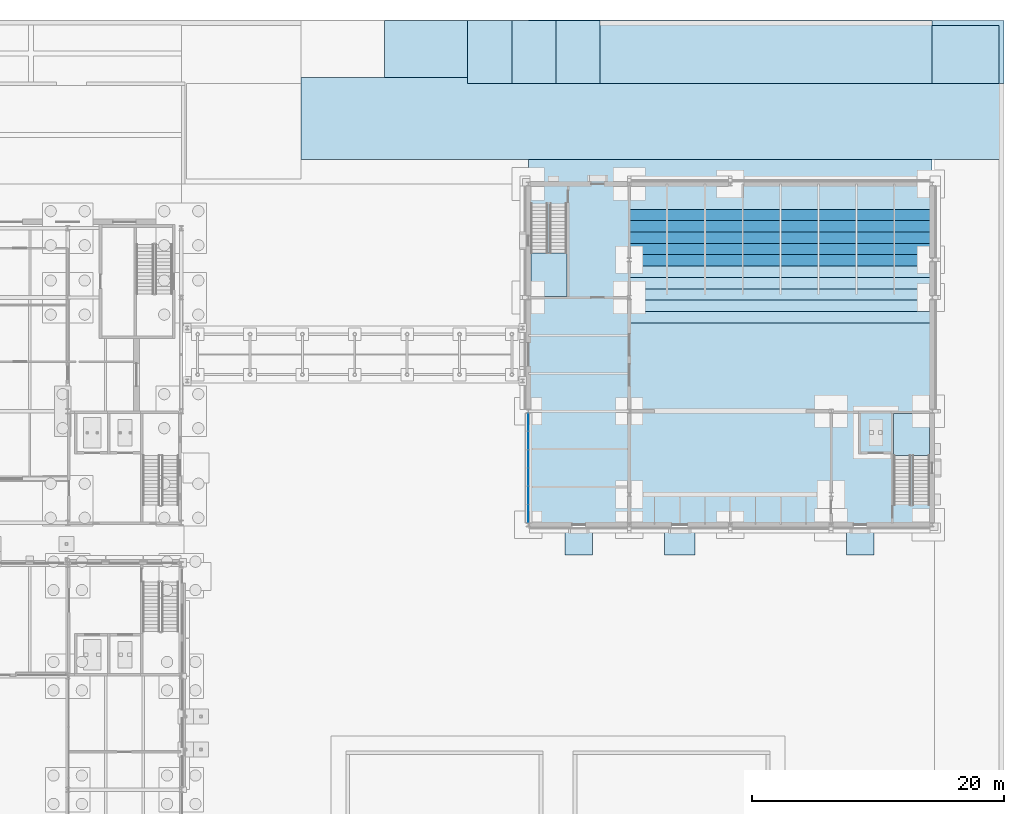
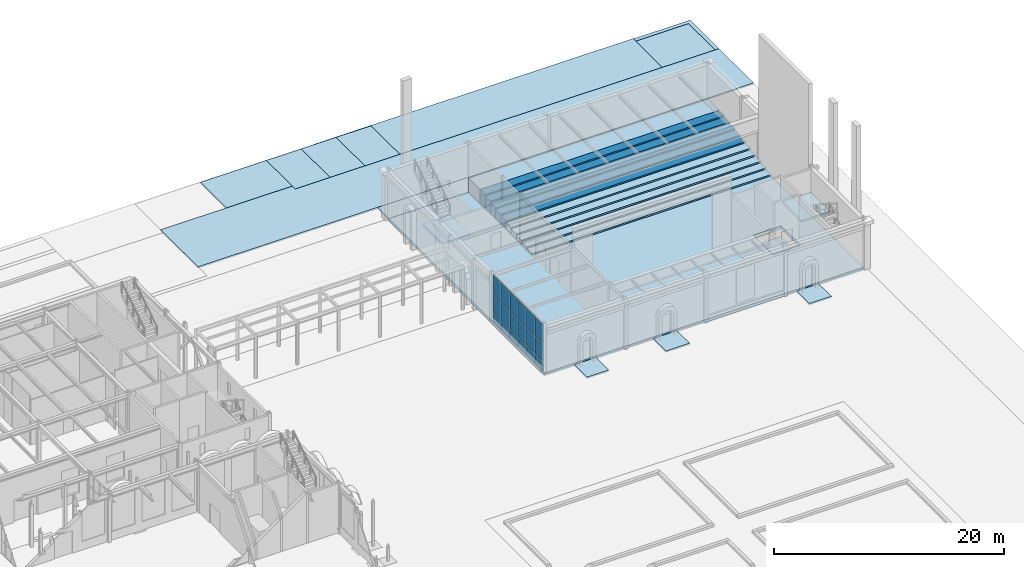
# One storey, part 64 of 126: 27 slabs, 18 plates, 3 elements without a shape of their own.
"""IFC4 building model written with IfcOpenShell, lengths in metres."""

from ifc_helpers import new_model, si_unit, direction, frame, origin, origin_2d, place, context, subcontext, project, spatial, polyline, rectangle, outline, extrude, material, layer, layer_set, type_object, element, aggregate, save


model = new_model("IFC4")

# Units and contexts
model_context = context("Model", 3, precision=1e-05, world=origin(), true_north=direction((0.0, 1.0)))
body_context = subcontext(model_context, "Body", "Model", "MODEL_VIEW")
ifc_project = project(units=[si_unit("LENGTHUNIT", "METRE"), si_unit("AREAUNIT", "SQUARE_METRE"), si_unit("VOLUMEUNIT", "CUBIC_METRE"), si_unit("PLANEANGLEUNIT", "RADIAN"), si_unit("MASSUNIT", "GRAM", prefix="KILO")], contexts=[model_context])

# Site, building, storey
site_placement = place(None, origin())
site = spatial("IfcSite", under=ifc_project, at=site_placement, CompositionType="ELEMENT")
building_placement = place(site_placement, origin())
building = spatial("IfcBuilding", under=site, at=building_placement, Name="Kallimachos Central Library", CompositionType="ELEMENT")
storey_placement = place(building_placement, origin())
storey = spatial("IfcBuildingStorey", under=building, at=storey_placement, Name="L00", CompositionType="ELEMENT", Elevation=0.0)

# Curtain wall, plates
ifc_material_1 = material(Name="Laminated glass in anodised aluminium", Category="aluminium")
curtain_wall_type = type_object("IfcCurtainWallType", Name="Foyer curtain wall", PredefinedType="NOTDEFINED", material=ifc_material_1)
curtain_wall_placement = place(storey_placement, origin())
curtain_wall = element("IfcCurtainWall", 1, at=curtain_wall_placement, inside=storey, type_object=curtain_wall_type, Name="V3-CWL-L00-001", PredefinedType="NOTDEFINED")
ifc_material_2 = material(Name="Laminated glass", Category="glass")
ifc_layer_1 = layer(ifc_material_2, 0.028076171875)
ifc_layer_set_1 = layer_set([ifc_layer_1], Name="Curtain wall glass panel 28")
plate_type = type_object("IfcPlateType", Name="Curtain wall glass panel 28", PredefinedType="CURTAIN_PANEL", material=ifc_layer_set_1)
plate_1_placement = place(storey_placement, frame((138.0, 87.889892578125, 0.06005859375), z_axis=(0.0, 0.0, 1.0), x_axis=(0.0, 1.0, 0.0)))
plate_1 = element("IfcPlate", 2, at=plate_1_placement, type_object=plate_type, Name="CW panel 1.1", PredefinedType="CURTAIN_PANEL", context=body_context, shape_type="SweptSolid", body=[
    extrude(rectangle(XDim=1.360107421875, YDim=0.028076171875, at=origin_2d()), origin(), (0.0, 0.0, 1.0), 1.010009765625),
])
plate_2_placement = place(storey_placement, frame((138.0, 87.889892578125, 1.1298828125), z_axis=(0.0, 0.0, 1.0), x_axis=(0.0, 1.0, 0.0)))
plate_2 = element("IfcPlate", 3, at=plate_2_placement, type_object=plate_type, Name="CW panel 1.2", PredefinedType="CURTAIN_PANEL", context=body_context, shape_type="SweptSolid", body=[
    extrude(rectangle(XDim=1.360107421875, YDim=0.028076171875, at=origin_2d()), origin(), (0.0, 0.0, 1.0), 1.840087890625),
])
plate_3_placement = place(storey_placement, frame((138.0, 87.889892578125, 3.030029296875), z_axis=(0.0, 0.0, 1.0), x_axis=(0.0, 1.0, 0.0)))
plate_3 = element("IfcPlate", 4, at=plate_3_placement, type_object=plate_type, Name="CW panel 1.3", PredefinedType="CURTAIN_PANEL", context=body_context, shape_type="SweptSolid", body=[
    extrude(rectangle(XDim=1.360107421875, YDim=0.028076171875, at=origin_2d()), origin(), (0.0, 0.0, 1.0), 2.06005859375),
])
plate_4_placement = place(storey_placement, frame((138.0, 89.324951171875, 0.06005859375), z_axis=(0.0, 0.0, 1.0), x_axis=(0.0, 1.0, 0.0)))
plate_4 = element("IfcPlate", 5, at=plate_4_placement, type_object=plate_type, Name="CW panel 2.1", PredefinedType="CURTAIN_PANEL", context=body_context, shape_type="SweptSolid", body=[
    extrude(rectangle(XDim=1.389892578125, YDim=0.028076171875, at=origin_2d()), origin(), (0.0, 0.0, 1.0), 1.010009765625),
])
plate_5_placement = place(storey_placement, frame((138.0, 89.324951171875, 1.1298828125), z_axis=(0.0, 0.0, 1.0), x_axis=(0.0, 1.0, 0.0)))
plate_5 = element("IfcPlate", 6, at=plate_5_placement, type_object=plate_type, Name="CW panel 2.2", PredefinedType="CURTAIN_PANEL", context=body_context, shape_type="SweptSolid", body=[
    extrude(rectangle(XDim=1.389892578125, YDim=0.028076171875, at=origin_2d()), origin(), (0.0, 0.0, 1.0), 1.840087890625),
])
plate_6_placement = place(storey_placement, frame((138.0, 89.324951171875, 3.030029296875), z_axis=(0.0, 0.0, 1.0), x_axis=(0.0, 1.0, 0.0)))
plate_6 = element("IfcPlate", 7, at=plate_6_placement, type_object=plate_type, Name="CW panel 2.3", PredefinedType="CURTAIN_PANEL", context=body_context, shape_type="SweptSolid", body=[
    extrude(rectangle(XDim=1.389892578125, YDim=0.028076171875, at=origin_2d()), origin(), (0.0, 0.0, 1.0), 2.06005859375),
])
plate_7_placement = place(storey_placement, frame((138.0, 90.77490234375, 0.06005859375), z_axis=(0.0, 0.0, 1.0), x_axis=(0.0, 1.0, 0.0)))
plate_7 = element("IfcPlate", 8, at=plate_7_placement, type_object=plate_type, Name="CW panel 3.1", PredefinedType="CURTAIN_PANEL", context=body_context, shape_type="SweptSolid", body=[
    extrude(rectangle(XDim=1.389892578125, YDim=0.028076171875, at=origin_2d()), origin(), (0.0, 0.0, 1.0), 1.010009765625),
])
plate_8_placement = place(storey_placement, frame((138.0, 90.77490234375, 1.1298828125), z_axis=(0.0, 0.0, 1.0), x_axis=(0.0, 1.0, 0.0)))
plate_8 = element("IfcPlate", 9, at=plate_8_placement, type_object=plate_type, Name="CW panel 3.2", PredefinedType="CURTAIN_PANEL", context=body_context, shape_type="SweptSolid", body=[
    extrude(rectangle(XDim=1.389892578125, YDim=0.028076171875, at=origin_2d()), origin(), (0.0, 0.0, 1.0), 1.840087890625),
])
plate_9_placement = place(storey_placement, frame((138.0, 90.77490234375, 3.030029296875), z_axis=(0.0, 0.0, 1.0), x_axis=(0.0, 1.0, 0.0)))
plate_9 = element("IfcPlate", 10, at=plate_9_placement, type_object=plate_type, Name="CW panel 3.3", PredefinedType="CURTAIN_PANEL", context=body_context, shape_type="SweptSolid", body=[
    extrude(rectangle(XDim=1.389892578125, YDim=0.028076171875, at=origin_2d()), origin(), (0.0, 0.0, 1.0), 2.06005859375),
])
plate_10_placement = place(storey_placement, frame((138.0, 92.22509765625, 0.06005859375), z_axis=(0.0, 0.0, 1.0), x_axis=(0.0, 1.0, 0.0)))
plate_10 = element("IfcPlate", 11, at=plate_10_placement, type_object=plate_type, Name="CW panel 4.1", PredefinedType="CURTAIN_PANEL", context=body_context, shape_type="SweptSolid", body=[
    extrude(rectangle(XDim=1.389892578125, YDim=0.028076171875, at=origin_2d()), origin(), (0.0, 0.0, 1.0), 1.010009765625),
])
plate_11_placement = place(storey_placement, frame((138.0, 92.22509765625, 1.1298828125), z_axis=(0.0, 0.0, 1.0), x_axis=(0.0, 1.0, 0.0)))
plate_11 = element("IfcPlate", 12, at=plate_11_placement, type_object=plate_type, Name="CW panel 4.2", PredefinedType="CURTAIN_PANEL", context=body_context, shape_type="SweptSolid", body=[
    extrude(rectangle(XDim=1.389892578125, YDim=0.028076171875, at=origin_2d()), origin(), (0.0, 0.0, 1.0), 1.840087890625),
])
plate_12_placement = place(storey_placement, frame((138.0, 92.22509765625, 3.030029296875), z_axis=(0.0, 0.0, 1.0), x_axis=(0.0, 1.0, 0.0)))
plate_12 = element("IfcPlate", 13, at=plate_12_placement, type_object=plate_type, Name="CW panel 4.3", PredefinedType="CURTAIN_PANEL", context=body_context, shape_type="SweptSolid", body=[
    extrude(rectangle(XDim=1.389892578125, YDim=0.028076171875, at=origin_2d()), origin(), (0.0, 0.0, 1.0), 2.06005859375),
])
plate_13_placement = place(storey_placement, frame((138.0, 93.675048828125, 0.06005859375), z_axis=(0.0, 0.0, 1.0), x_axis=(0.0, 1.0, 0.0)))
plate_13 = element("IfcPlate", 14, at=plate_13_placement, type_object=plate_type, Name="CW panel 5.1", PredefinedType="CURTAIN_PANEL", context=body_context, shape_type="SweptSolid", body=[
    extrude(rectangle(XDim=1.389892578125, YDim=0.028076171875, at=origin_2d()), origin(), (0.0, 0.0, 1.0), 1.010009765625),
])
plate_14_placement = place(storey_placement, frame((138.0, 93.675048828125, 1.1298828125), z_axis=(0.0, 0.0, 1.0), x_axis=(0.0, 1.0, 0.0)))
plate_14 = element("IfcPlate", 15, at=plate_14_placement, type_object=plate_type, Name="CW panel 5.2", PredefinedType="CURTAIN_PANEL", context=body_context, shape_type="SweptSolid", body=[
    extrude(rectangle(XDim=1.389892578125, YDim=0.028076171875, at=origin_2d()), origin(), (0.0, 0.0, 1.0), 1.840087890625),
])
plate_15_placement = place(storey_placement, frame((138.0, 93.675048828125, 3.030029296875), z_axis=(0.0, 0.0, 1.0), x_axis=(0.0, 1.0, 0.0)))
plate_15 = element("IfcPlate", 16, at=plate_15_placement, type_object=plate_type, Name="CW panel 5.3", PredefinedType="CURTAIN_PANEL", context=body_context, shape_type="SweptSolid", body=[
    extrude(rectangle(XDim=1.389892578125, YDim=0.028076171875, at=origin_2d()), origin(), (0.0, 0.0, 1.0), 2.06005859375),
])
plate_16_placement = place(storey_placement, frame((138.0, 95.110107421875, 0.06005859375), z_axis=(0.0, 0.0, 1.0), x_axis=(0.0, 1.0, 0.0)))
plate_16 = element("IfcPlate", 17, at=plate_16_placement, type_object=plate_type, Name="CW panel 6.1", PredefinedType="CURTAIN_PANEL", context=body_context, shape_type="SweptSolid", body=[
    extrude(rectangle(XDim=1.360107421875, YDim=0.028076171875, at=origin_2d()), origin(), (0.0, 0.0, 1.0), 1.010009765625),
])
plate_17_placement = place(storey_placement, frame((138.0, 95.110107421875, 1.1298828125), z_axis=(0.0, 0.0, 1.0), x_axis=(0.0, 1.0, 0.0)))
plate_17 = element("IfcPlate", 18, at=plate_17_placement, type_object=plate_type, Name="CW panel 6.2", PredefinedType="CURTAIN_PANEL", context=body_context, shape_type="SweptSolid", body=[
    extrude(rectangle(XDim=1.360107421875, YDim=0.028076171875, at=origin_2d()), origin(), (0.0, 0.0, 1.0), 1.840087890625),
])
plate_18_placement = place(storey_placement, frame((138.0, 95.110107421875, 3.030029296875), z_axis=(0.0, 0.0, 1.0), x_axis=(0.0, 1.0, 0.0)))
plate_18 = element("IfcPlate", 19, at=plate_18_placement, type_object=plate_type, Name="CW panel 6.3", PredefinedType="CURTAIN_PANEL", context=body_context, shape_type="SweptSolid", body=[
    extrude(rectangle(XDim=1.360107421875, YDim=0.028076171875, at=origin_2d()), origin(), (0.0, 0.0, 1.0), 2.06005859375),
])
aggregate(curtain_wall, [plate_1, plate_2, plate_3, plate_4, plate_5, plate_6, plate_7, plate_8, plate_9, plate_10, plate_11, plate_12, plate_13, plate_14, plate_15, plate_16, plate_17, plate_18])

# Slabs
ifc_material_3 = material(Name="Concrete C30/37", Category="concrete")
ifc_layer_2 = layer(ifc_material_3, 0.14990234375)
ifc_layer_set_2 = layer_set([ifc_layer_2], Name="Drive paving 150")
slab_type_1 = type_object("IfcSlabType", Name="Drive paving 150", PredefinedType="BASESLAB", material=ifc_layer_set_2)
slab_1_placement = place(storey_placement, frame((0.0, 0.0, -0.14990234375)))
element("IfcSlab", 20, at=slab_1_placement, inside=storey, type_object=slab_type_1, Name="Drive Aisle East", PredefinedType="BASESLAB", context=body_context, shape_type="SweptSolid", body=[
    extrude(outline(polyline([(175.699951171875, 115.949951171875), (120.0, 115.949951171875), (120.0, 122.449951171875), (133.199951171875, 122.449951171875), (133.199951171875, 121.949951171875), (175.699951171875, 121.949951171875), (175.699951171875, 115.949951171875)])), origin(), (0.0, 0.0, 1.0), 0.14990234375),
])
ifc_material_4 = material(Name="Concrete C30/37", Category="concrete")
ifc_layer_3 = layer(ifc_material_4, 0.300048828125)
ifc_layer_set_3 = layer_set([ifc_layer_3], Name="Ground slab 300")
slab_type_2 = type_object("IfcSlabType", Name="Ground slab 300", PredefinedType="BASESLAB", material=ifc_layer_set_3)
slab_2_placement = place(storey_placement, frame((0.0, 0.0, -0.300048828125)))
element("IfcSlab", 21, at=slab_2_placement, inside=storey, type_object=slab_type_2, Name="V3-SLB-L00-001", PredefinedType="BASESLAB", context=body_context, shape_type="SweptSolid", body=[
    extrude(outline(polyline([(138.0, 114.0), (170.0, 114.0), (170.0, 87.0), (138.0, 87.0), (138.0, 114.0)]), holes=[polyline([(166.949951171875, 92.60009765625), (166.949951171875, 96.0), (164.14990234375, 96.0), (164.14990234375, 92.60009765625), (166.949951171875, 92.60009765625)])]), origin(), (0.0, 0.0, 1.0), 0.300048828125),
])
ifc_material_5 = material(Name="Concrete C30/37", Category="concrete")
ifc_layer_4 = layer(ifc_material_5, 0.300048828125)
ifc_layer_set_4 = layer_set([ifc_layer_4], Name="Lift pit slab 300")
slab_type_3 = type_object("IfcSlabType", Name="Lift pit slab 300", PredefinedType="BASESLAB", material=ifc_layer_set_4)
slab_3_placement = place(storey_placement, frame((0.0, 0.0, -1.39990234375)))
element("IfcSlab", 22, at=slab_3_placement, inside=storey, type_object=slab_type_3, Name="V3-SLB-L00-002", PredefinedType="BASESLAB", context=body_context, shape_type="SweptSolid", body=[
    extrude(outline(polyline([(164.14990234375, 92.60009765625), (166.949951171875, 92.60009765625), (166.949951171875, 96.0), (164.14990234375, 96.0), (164.14990234375, 92.60009765625)])), origin(), (0.0, 0.0, 1.0), 0.2998046875),
])
ifc_material_6 = material(Name="Concrete C30/37", Category="concrete")
ifc_layer_5 = layer(ifc_material_6, 0.14990234375)
ifc_layer_set_5 = layer_set([ifc_layer_5], Name="Parking bay paving 150")
slab_type_4 = type_object("IfcSlabType", Name="Parking bay paving 150", PredefinedType="BASESLAB", material=ifc_layer_set_5)
slab_4_placement = place(storey_placement, frame((0.0, 0.0, -0.14990234375)))
element("IfcSlab", 23, at=slab_4_placement, inside=storey, type_object=slab_type_4, Name="Accessible Parking Bay 16 (van)", PredefinedType="BASESLAB", context=body_context, shape_type="SweptSolid", body=[
    extrude(outline(polyline([(133.199951171875, 126.949951171875), (133.199951171875, 122.449951171875), (126.60009765625, 122.449951171875), (126.60009765625, 126.949951171875), (133.199951171875, 126.949951171875)])), origin(), (0.0, 0.0, 1.0), 0.14990234375),
])
slab_5_placement = place(storey_placement, frame((0.0, 0.0, -0.14990234375)))
element("IfcSlab", 24, at=slab_5_placement, inside=storey, type_object=slab_type_4, Name="Accessible Parking Bay 17", PredefinedType="BASESLAB", context=body_context, shape_type="SweptSolid", body=[
    extrude(outline(polyline([(136.699951171875, 126.949951171875), (136.699951171875, 121.949951171875), (133.199951171875, 121.949951171875), (133.199951171875, 126.949951171875), (136.699951171875, 126.949951171875)])), origin(), (0.0, 0.0, 1.0), 0.14990234375),
])
slab_6_placement = place(storey_placement, frame((0.0, 0.0, -0.14990234375)))
element("IfcSlab", 25, at=slab_6_placement, inside=storey, type_object=slab_type_4, Name="Accessible Parking Bay 18", PredefinedType="BASESLAB", context=body_context, shape_type="SweptSolid", body=[
    extrude(outline(polyline([(140.199951171875, 126.949951171875), (140.199951171875, 121.949951171875), (136.699951171875, 121.949951171875), (136.699951171875, 126.949951171875), (140.199951171875, 126.949951171875)])), origin(), (0.0, 0.0, 1.0), 0.14990234375),
])
slab_7_placement = place(storey_placement, frame((0.0, 0.0, -0.14990234375)))
element("IfcSlab", 26, at=slab_7_placement, inside=storey, type_object=slab_type_4, Name="Accessible Parking Bay 19", PredefinedType="BASESLAB", context=body_context, shape_type="SweptSolid", body=[
    extrude(outline(polyline([(143.699951171875, 126.949951171875), (143.699951171875, 121.949951171875), (140.199951171875, 121.949951171875), (140.199951171875, 126.949951171875), (143.699951171875, 126.949951171875)])), origin(), (0.0, 0.0, 1.0), 0.14990234375),
])
ifc_material_7 = material(Name="Concrete C30/37", Category="concrete")
ifc_layer_6 = layer(ifc_material_7, 0.14990234375)
ifc_layer_set_6 = layer_set([ifc_layer_6], Name="Paving slab 150")
slab_type_5 = type_object("IfcSlabType", Name="Paving slab 150", PredefinedType="BASESLAB", material=ifc_layer_set_6)
slab_8_placement = place(storey_placement, frame((0.0, 0.0, -0.14990234375)))
element("IfcSlab", 27, at=slab_8_placement, inside=storey, type_object=slab_type_5, Name="East Park Forecourt A", PredefinedType="BASESLAB", context=body_context, shape_type="SweptSolid", body=[
    extrude(outline(polyline([(170.0, 114.0), (138.0, 114.0), (138.0, 115.949951171875), (170.0, 115.949951171875), (170.0, 114.0)])), origin(), (0.0, 0.0, 1.0), 0.14990234375),
])
slab_9_placement = place(storey_placement, frame((0.0, 0.0, -0.14990234375)))
element("IfcSlab", 28, at=slab_9_placement, inside=storey, type_object=slab_type_5, Name="East Park Forecourt B", PredefinedType="BASESLAB", context=body_context, shape_type="SweptSolid", body=[
    extrude(outline(polyline([(170.0, 127.0), (170.0, 121.949951171875), (143.699951171875, 121.949951171875), (143.699951171875, 126.949951171875), (138.0, 126.949951171875), (138.0, 127.0), (170.0, 127.0)])), origin(), (0.0, 0.0, 1.0), 0.14990234375),
])
slab_10_placement = place(storey_placement, frame((0.0, 0.0, -0.14990234375)))
element("IfcSlab", 29, at=slab_10_placement, inside=storey, type_object=slab_type_5, Name="Door Apron V3-DOR-L00-002", PredefinedType="BASESLAB", context=body_context, shape_type="SweptSolid", body=[
    extrude(outline(polyline([(143.10009765625, 84.60009765625), (140.89990234375, 84.60009765625), (140.89990234375, 86.800048828125), (143.10009765625, 86.800048828125), (143.10009765625, 84.60009765625)])), origin(), (0.0, 0.0, 1.0), 0.14990234375),
])
slab_11_placement = place(storey_placement, frame((0.0, 0.0, -0.14990234375)))
element("IfcSlab", 30, at=slab_11_placement, inside=storey, type_object=slab_type_5, Name="Door Apron V3-DOR-L00-003", PredefinedType="BASESLAB", context=body_context, shape_type="SweptSolid", body=[
    extrude(outline(polyline([(151.199951171875, 84.60009765625), (148.800048828125, 84.60009765625), (148.800048828125, 86.800048828125), (151.199951171875, 86.800048828125), (151.199951171875, 84.60009765625)])), origin(), (0.0, 0.0, 1.0), 0.14990234375),
])
slab_12_placement = place(storey_placement, frame((0.0, 0.0, -0.14990234375)))
element("IfcSlab", 31, at=slab_12_placement, inside=storey, type_object=slab_type_5, Name="Door Apron V3-DOR-L00-004", PredefinedType="BASESLAB", context=body_context, shape_type="SweptSolid", body=[
    extrude(outline(polyline([(165.39990234375, 84.60009765625), (163.199951171875, 84.60009765625), (163.199951171875, 86.800048828125), (165.39990234375, 86.800048828125), (165.39990234375, 84.60009765625)])), origin(), (0.0, 0.0, 1.0), 0.14990234375),
])
slab_13_placement = place(storey_placement, frame((0.0, 0.0, -0.14990234375)))
element("IfcSlab", 32, at=slab_13_placement, inside=storey, type_object=slab_type_5, Name="Site Edge Kerb Paving A", PredefinedType="BASESLAB", context=body_context, shape_type="SweptSolid", body=[
    extrude(outline(polyline([(175.699951171875, 126.949951171875), (175.699951171875, 121.949951171875), (175.300048828125, 121.949951171875), (175.300048828125, 126.550048828125), (170.0, 126.550048828125), (170.0, 126.949951171875), (175.699951171875, 126.949951171875)])), origin(), (0.0, 0.0, 1.0), 0.14990234375),
])
ifc_material_8 = material(Name="Topsoil and planting")
ifc_layer_7 = layer(ifc_material_8, 0.300048828125)
ifc_layer_set_7 = layer_set([ifc_layer_7], Name="Planted ground 300")
slab_type_6 = type_object("IfcSlabType", Name="Planted ground 300", PredefinedType="BASESLAB", material=ifc_layer_set_7)
slab_14_placement = place(storey_placement, frame((0.0, 0.0, -0.300048828125)))
element("IfcSlab", 33, at=slab_14_placement, inside=storey, type_object=slab_type_6, Name="Park Edge Planting 2", PredefinedType="BASESLAB", context=body_context, shape_type="SweptSolid", body=[
    extrude(outline(polyline([(175.300048828125, 126.550048828125), (175.300048828125, 121.949951171875), (170.0, 121.949951171875), (170.0, 126.550048828125), (175.300048828125, 126.550048828125)])), origin(), (0.0, 0.0, 1.0), 0.300048828125),
])
ifc_material_9 = material(Name="Concrete C30/37", Category="concrete")
ifc_layer_8 = layer(ifc_material_9, 0.14990234375)
ifc_layer_set_8 = layer_set([ifc_layer_8], Name="Raked stalls step")
slab_type_7 = type_object("IfcSlabType", Name="Raked stalls step", PredefinedType="FLOOR", material=ifc_layer_set_8)
slab_15_placement = place(storey_placement, origin())
element("IfcSlab", 34, at=slab_15_placement, inside=storey, type_object=slab_type_7, Name="V3-SLB-L00-STEP01", PredefinedType="FLOOR", context=body_context, shape_type="SweptSolid", body=[
    extrude(outline(polyline([(146.0, 103.0), (170.0, 103.0), (170.0, 103.89990234375), (146.0, 103.89990234375), (146.0, 103.0)])), origin(), (0.0, 0.0, 1.0), 0.14990234375),
])
slab_16_placement = place(storey_placement, origin())
element("IfcSlab", 35, at=slab_16_placement, inside=storey, type_object=slab_type_7, Name="V3-SLB-L00-STEP02", PredefinedType="FLOOR", context=body_context, shape_type="SweptSolid", body=[
    extrude(outline(polyline([(146.0, 103.89990234375), (170.0, 103.89990234375), (170.0, 104.800048828125), (146.0, 104.800048828125), (146.0, 103.89990234375)])), origin(), (0.0, 0.0, 1.0), 0.300048828125),
])
slab_17_placement = place(storey_placement, origin())
element("IfcSlab", 36, at=slab_17_placement, inside=storey, type_object=slab_type_7, Name="V3-SLB-L00-STEP03", PredefinedType="FLOOR", context=body_context, shape_type="SweptSolid", body=[
    extrude(outline(polyline([(146.0, 104.800048828125), (170.0, 104.800048828125), (170.0, 105.699951171875), (146.0, 105.699951171875), (146.0, 104.800048828125)])), origin(), (0.0, 0.0, 1.0), 0.449951171875),
])
slab_18_placement = place(storey_placement, origin())
element("IfcSlab", 37, at=slab_18_placement, inside=storey, type_object=slab_type_7, Name="V3-SLB-L00-STEP04", PredefinedType="FLOOR", context=body_context, shape_type="SweptSolid", body=[
    extrude(outline(polyline([(146.0, 105.699951171875), (170.0, 105.699951171875), (170.0, 106.60009765625), (146.0, 106.60009765625), (146.0, 105.699951171875)])), origin(), (0.0, 0.0, 1.0), 0.60009765625),
])
slab_19_placement = place(storey_placement, origin())
element("IfcSlab", 38, at=slab_19_placement, inside=storey, type_object=slab_type_7, Name="V3-SLB-L00-STEP05", PredefinedType="FLOOR", context=body_context, shape_type="SweptSolid", body=[
    extrude(outline(polyline([(146.0, 106.60009765625), (170.0, 106.60009765625), (170.0, 107.5), (146.0, 107.5), (146.0, 106.60009765625)])), origin(), (0.0, 0.0, 1.0), 0.75),
])
slab_20_placement = place(storey_placement, origin())
element("IfcSlab", 39, at=slab_20_placement, inside=storey, type_object=slab_type_7, Name="V3-SLB-L00-STEP06", PredefinedType="FLOOR", context=body_context, shape_type="SweptSolid", body=[
    extrude(outline(polyline([(146.0, 107.5), (170.0, 107.5), (170.0, 108.39990234375), (146.0, 108.39990234375), (146.0, 107.5)])), origin(), (0.0, 0.0, 1.0), 0.89990234375),
])
slab_21_placement = place(storey_placement, origin())
element("IfcSlab", 40, at=slab_21_placement, inside=storey, type_object=slab_type_7, Name="V3-SLB-L00-STEP07", PredefinedType="FLOOR", context=body_context, shape_type="SweptSolid", body=[
    extrude(outline(polyline([(146.0, 108.39990234375), (170.0, 108.39990234375), (170.0, 109.300048828125), (146.0, 109.300048828125), (146.0, 108.39990234375)])), origin(), (0.0, 0.0, 1.0), 1.050048828125),
])
slab_22_placement = place(storey_placement, origin())
element("IfcSlab", 41, at=slab_22_placement, inside=storey, type_object=slab_type_7, Name="V3-SLB-L00-STEP08", PredefinedType="FLOOR", context=body_context, shape_type="SweptSolid", body=[
    extrude(outline(polyline([(146.0, 109.300048828125), (170.0, 109.300048828125), (170.0, 110.199951171875), (146.0, 110.199951171875), (146.0, 109.300048828125)])), origin(), (0.0, 0.0, 1.0), 1.199951171875),
])
slab_23_placement = place(storey_placement, origin())
element("IfcSlab", 42, at=slab_23_placement, inside=storey, type_object=slab_type_7, Name="V3-SLB-L00-STEP09", PredefinedType="FLOOR", context=body_context, shape_type="SweptSolid", body=[
    extrude(outline(polyline([(146.0, 110.199951171875), (170.0, 110.199951171875), (170.0, 111.10009765625), (146.0, 111.10009765625), (146.0, 110.199951171875)])), origin(), (0.0, 0.0, 1.0), 1.35009765625),
])
slab_24_placement = place(storey_placement, origin())
element("IfcSlab", 43, at=slab_24_placement, inside=storey, type_object=slab_type_7, Name="V3-SLB-L00-STEP10", PredefinedType="FLOOR", context=body_context, shape_type="SweptSolid", body=[
    extrude(outline(polyline([(146.0, 111.10009765625), (170.0, 111.10009765625), (170.0, 112.0), (146.0, 112.0), (146.0, 111.10009765625)])), origin(), (0.0, 0.0, 1.0), 1.5),
])
slab_25_placement = place(storey_placement, origin())
element("IfcSlab", 44, at=slab_25_placement, inside=storey, type_object=slab_type_7, Name="V3-SLB-L00-GANGWAY", PredefinedType="FLOOR", context=body_context, shape_type="SweptSolid", body=[
    extrude(outline(polyline([(146.0, 112.0), (170.0, 112.0), (170.0, 114.0), (146.0, 114.0), (146.0, 112.0)])), origin(), (0.0, 0.0, 1.0), 1.5),
])

# Stair, slab
ifc_material_10 = material(Name="Concrete C30/37", Category="concrete")
stair_type = type_object("IfcStairType", Name="Stair V3", PredefinedType="HALF_TURN_STAIR", material=ifc_material_10)
stair_1_placement = place(storey_placement, origin())
stair_1 = element("IfcStair", 45, at=stair_1_placement, inside=storey, type_object=stair_type, Name="L00 stair ST7", PredefinedType="HALF_TURN_STAIR")
ifc_material_11 = material(Name="Concrete C30/37", Category="concrete")
ifc_layer_9 = layer(ifc_material_11, 0.199951171875)
ifc_layer_set_9 = layer_set([ifc_layer_9], Name="Stair landing 200")
slab_type_8 = type_object("IfcSlabType", Name="Stair landing 200", PredefinedType="LANDING", material=ifc_layer_set_9)
slab_26_placement = place(storey_placement, frame((0.0, 0.0, 2.5)))
slab_26 = element("IfcSlab", 46, at=slab_26_placement, type_object=slab_type_8, Name="ST7 landing 1", PredefinedType="LANDING", context=body_context, shape_type="SweptSolid", body=[
    extrude(outline(polyline([(169.800048828125, 92.469970703125), (169.800048828125, 95.800048828125), (166.949951171875, 95.800048828125), (166.949951171875, 92.469970703125), (169.800048828125, 92.469970703125)])), origin(), (0.0, 0.0, 1.0), 0.199951171875),
])
aggregate(stair_1, [slab_26])

stair_2_placement = place(storey_placement, origin())
stair_2 = element("IfcStair", 47, at=stair_2_placement, inside=storey, type_object=stair_type, Name="L00 stair ST8", PredefinedType="HALF_TURN_STAIR")
slab_27_placement = place(storey_placement, frame((0.0, 0.0, 2.5)))
slab_27 = element("IfcSlab", 48, at=slab_27_placement, type_object=slab_type_8, Name="ST8 landing 1", PredefinedType="LANDING", context=body_context, shape_type="SweptSolid", body=[
    extrude(outline(polyline([(138.199951171875, 105.10009765625), (141.050048828125, 105.10009765625), (141.050048828125, 108.530029296875), (138.199951171875, 108.530029296875), (138.199951171875, 105.10009765625)])), origin(), (0.0, 0.0, 1.0), 0.199951171875),
])
aggregate(stair_2, [slab_27])

save(model, "model.ifc")
